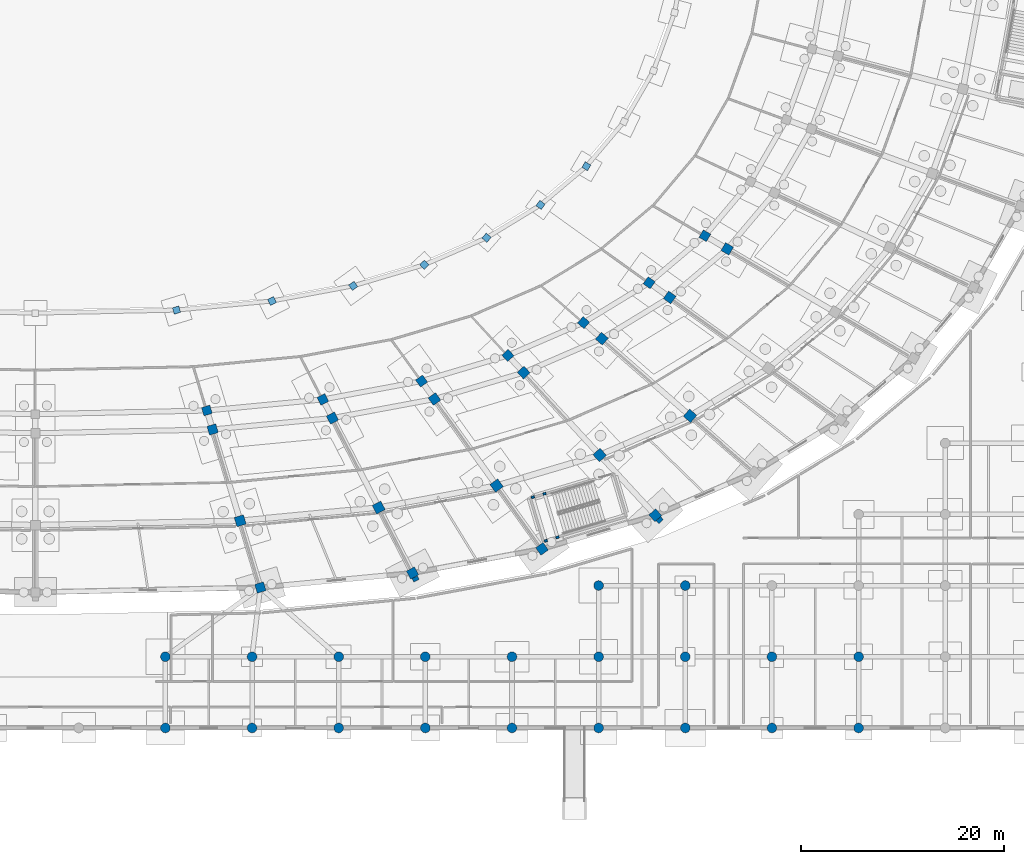
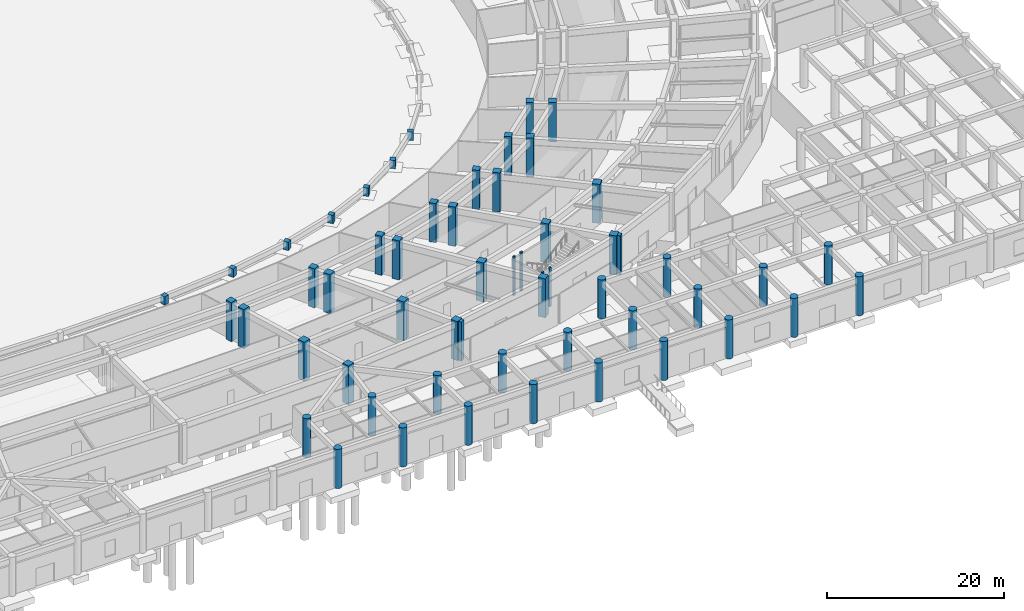
# One storey, part 18 of 88: 56 columns.
"""IFC4 building model written with IfcOpenShell, lengths in metres."""

from ifc_helpers import new_model, si_unit, direction, frame, origin, origin_2d, place, context, subcontext, project, spatial, rectangle, circle, extrude, material, material_profile, profile_set, type_object, element, save


model = new_model("IFC4")

# Units and contexts
model_context = context("Model", 3, precision=1e-05, world=origin(), true_north=direction((0.0, 1.0)))
body_context = subcontext(model_context, "Body", "Model", "MODEL_VIEW")
ifc_project = project(units=[si_unit("LENGTHUNIT", "METRE"), si_unit("AREAUNIT", "SQUARE_METRE"), si_unit("VOLUMEUNIT", "CUBIC_METRE"), si_unit("PLANEANGLEUNIT", "RADIAN"), si_unit("MASSUNIT", "GRAM", prefix="KILO")], contexts=[model_context])

# Site, building, storey
site_placement = place(None, origin())
site = spatial("IfcSite", under=ifc_project, at=site_placement, CompositionType="ELEMENT")
building_placement = place(site_placement, origin())
building = spatial("IfcBuilding", under=site, at=building_placement, Name="Mphavela Belvedere Stadium", CompositionType="ELEMENT")
storey_placement = place(building_placement, origin())
storey = spatial("IfcBuildingStorey", under=building, at=storey_placement, Name="L00", CompositionType="ELEMENT", Elevation=0.0)

# Columns
ifc_material_1 = material(Name="Concrete C40/50", Category="concrete")
ifc_material_profile_1 = material_profile(ifc_material_1, rectangle(XDim=0.300048828125, YDim=0.219970703125, at=origin_2d()), Name="RC 300x220")
ifc_profile_set_1 = profile_set([ifc_material_profile_1], Name="Concrete C40/50")
column_type_1 = type_object("IfcColumnType", Name="COL-CORE-POST-300", PredefinedType="COLUMN", material=ifc_profile_set_1)
for number, where, z_axis, x_axis, name in (
    (1, (165.05419921875, 23.027099609375, 0.0), (0.0, 0.0, 1.0), (-0.958670893355, -0.284517342588, 0.0), "Core P04 stair frame column L00-1"),
    (2, (163.90380859375, 22.685791015625, 0.0), (0.0, 0.0, 1.0), (-0.958670893355, -0.284517342588, 0.0), "Core P04 stair frame column L00-2"),
    (3, (165.175537109375, 18.400390625, 0.0), (0.0, 0.0, 1.0), (-0.958670893355, -0.284517342588, 0.0), "Core P04 stair frame column L00-3"),
    (4, (166.325927734375, 18.741943359375, 0.0), (0.0, 0.0, 1.0), (-0.958670893355, -0.284517342588, 0.0), "Core P04 stair frame column L00-4"),
):
    element("IfcColumn", number, at=place(storey_placement, frame(where, z_axis=z_axis, x_axis=x_axis)), inside=storey, type_object=column_type_1, Name=name, PredefinedType="COLUMN", context=body_context, shape_type="SweptSolid", body=[
        extrude(rectangle(XDim=0.300048828125, YDim=0.219970703125, at=origin_2d()), origin(), (0.0, 0.0, 1.0), 5.39990234375),
    ])
ifc_material_2 = material(Name="Concrete C40/50", Category="concrete")
ifc_material_profile_2 = material_profile(ifc_material_2, circle(Radius=0.47509765625, at=origin_2d()), Name="COL D950")
ifc_profile_set_2 = profile_set([ifc_material_profile_2], Name="Concrete C40/50")
column_type_2 = type_object("IfcColumnType", Name="COL-DORIC-950", PredefinedType="COLUMN", material=ifc_profile_set_2)
for number, where, z_axis, x_axis, name in (
    (5, (127.778076171875, 0.0, 0.0), (0.0, 0.0, 1.0), (1.0, 0.0, 0.0), "South Axial Triumphal Peristyle Portico classical column L00 16-1"),
    (6, (127.778076171875, 7.0, 0.0), (0.0, 0.0, 1.0), (1.0, 0.0, 0.0), "South Axial Triumphal Peristyle Portico classical column L00 16-2"),
    (7, (136.2958984375, 0.0, 0.0), (0.0, 0.0, 1.0), (1.0, 0.0, 0.0), "South Axial Triumphal Peristyle Portico classical column L00 17-1"),
    (8, (136.2958984375, 7.0, 0.0), (0.0, 0.0, 1.0), (1.0, 0.0, 0.0), "South Axial Triumphal Peristyle Portico classical column L00 17-2"),
    (9, (144.81494140625, 0.0, 0.0), (0.0, 0.0, 1.0), (1.0, 0.0, 0.0), "South Axial Triumphal Peristyle Portico classical column L00 18-1"),
    (10, (144.81494140625, 7.0, 0.0), (0.0, 0.0, 1.0), (1.0, 0.0, 0.0), "South Axial Triumphal Peristyle Portico classical column L00 18-2"),
    (11, (153.3330078125, 0.0, 0.0), (0.0, 0.0, 1.0), (1.0, 0.0, 0.0), "South Axial Triumphal Peristyle Portico classical column L00 19-1"),
    (12, (153.3330078125, 7.0, 0.0), (0.0, 0.0, 1.0), (1.0, 0.0, 0.0), "South Axial Triumphal Peristyle Portico classical column L00 19-2"),
    (13, (161.85205078125, 0.0, 0.0), (0.0, 0.0, 1.0), (1.0, 0.0, 0.0), "South Axial Triumphal Peristyle Portico classical column L00 20-1"),
    (14, (161.85205078125, 7.0, 0.0), (0.0, 0.0, 1.0), (1.0, 0.0, 0.0), "South Axial Triumphal Peristyle Portico classical column L00 20-2"),
    (15, (170.3701171875, 0.0, 0.0), (0.0, 0.0, 1.0), (1.0, 0.0, 0.0), "South Axial Triumphal Peristyle Portico classical column L00 21-1"),
    (16, (170.3701171875, 7.0, 0.0), (0.0, 0.0, 1.0), (1.0, 0.0, 0.0), "South Axial Triumphal Peristyle Portico classical column L00 21-2"),
    (17, (170.3701171875, 14.0, 0.0), (0.0, 0.0, 1.0), (1.0, 0.0, 0.0), "South Axial Triumphal Peristyle Portico classical column L00 21-3"),
    (18, (178.888916015625, 0.0, 0.0), (0.0, 0.0, 1.0), (1.0, 0.0, 0.0), "South Axial Triumphal Peristyle Portico classical column L00 22-1"),
    (19, (178.888916015625, 7.0, 0.0), (0.0, 0.0, 1.0), (1.0, 0.0, 0.0), "South Axial Triumphal Peristyle Portico classical column L00 22-2"),
    (20, (178.888916015625, 14.0, 0.0), (0.0, 0.0, 1.0), (1.0, 0.0, 0.0), "South Axial Triumphal Peristyle Portico classical column L00 22-3"),
    (21, (187.406982421875, 0.0, 0.0), (0.0, 0.0, 1.0), (1.0, 0.0, 0.0), "South Axial Triumphal Peristyle Portico classical column L00 23-1"),
    (22, (187.406982421875, 7.0, 0.0), (0.0, 0.0, 1.0), (1.0, 0.0, 0.0), "South Axial Triumphal Peristyle Portico classical column L00 23-2"),
    (23, (195.926025390625, 0.0, 0.0), (0.0, 0.0, 1.0), (1.0, 0.0, 0.0), "South Axial Triumphal Peristyle Portico classical column L00 24-1"),
    (24, (195.926025390625, 7.0, 0.0), (0.0, 0.0, 1.0), (1.0, 0.0, 0.0), "South Axial Triumphal Peristyle Portico classical column L00 24-2"),
):
    element("IfcColumn", number, at=place(storey_placement, frame(where, z_axis=z_axis, x_axis=x_axis)), inside=storey, type_object=column_type_2, Name=name, PredefinedType="COLUMN", context=body_context, shape_type="SweptSolid", body=[
        extrude(circle(Radius=0.47509765625, at=origin_2d()), origin(), (0.0, 0.0, 1.0), 5.39990234375),
    ])
ifc_material_3 = material(Name="Concrete C40/50", Category="concrete")
ifc_material_profile_3 = material_profile(ifc_material_3, rectangle(XDim=0.64990234375, YDim=0.64990234375, at=origin_2d()), Name="RC 650x650")
ifc_profile_set_3 = profile_set([ifc_material_profile_3], Name="Concrete C40/50")
column_type_3 = type_object("IfcColumnType", Name="COL-RC650", PredefinedType="COLUMN", material=ifc_profile_set_3)
for number, where, z_axis, x_axis, name in (
    (25, (128.873779296875, 41.081298828125, 0.0), (0.0, 0.0, 1.0), (0.289198876314, -0.957269037387, 0.0), "Lower tier plinth column 38"),
    (26, (138.258056640625, 41.97607421875, 0.0), (0.0, 0.0, 1.0), (0.458959712465, -0.888457079624, 0.0), "Lower tier plinth column 39"),
    (27, (146.2431640625, 43.46337890625, 0.0), (0.0, 0.0, 1.0), (0.582974127943, -0.812490717577, 0.0), "Lower tier plinth column 40"),
    (28, (153.229736328125, 45.537109375, 0.0), (0.0, 0.0, 1.0), (0.677903094969, -0.735151272753, 0.0), "Lower tier plinth column 41"),
    (29, (159.351806640625, 48.19091796875, 0.0), (0.0, 0.0, 1.0), (0.752529860433, -0.658558128912, 0.0), "Lower tier plinth column 42"),
    (30, (164.658935546875, 51.419677734375, 0.0), (0.0, 0.0, 1.0), (0.812897512265, -0.582406760395, 0.0), "Lower tier plinth column 43"),
    (31, (169.1650390625, 55.22216796875, 0.0), (0.0, 0.0, 1.0), (0.862513669207, -0.506033764121, 0.0), "Lower tier plinth column 44"),
):
    element("IfcColumn", number, at=place(storey_placement, frame(where, z_axis=z_axis, x_axis=x_axis)), inside=storey, type_object=column_type_3, Name=name, PredefinedType="COLUMN", context=body_context, shape_type="SweptSolid", body=[
        extrude(rectangle(XDim=0.64990234375, YDim=0.64990234375, at=origin_2d()), origin(), (0.0, 0.0, 1.0), 1.14990234375),
    ])
ifc_material_4 = material(Name="Concrete C40/50", Category="concrete")
ifc_material_profile_4 = material_profile(ifc_material_4, rectangle(XDim=0.85009765625, YDim=0.85009765625, at=origin_2d()), Name="RC 850x850")
ifc_profile_set_4 = profile_set([ifc_material_profile_4], Name="Concrete C40/50")
column_type_4 = type_object("IfcColumnType", Name="COL-RC850", PredefinedType="COLUMN", material=ifc_profile_set_4)
for number, where, z_axis, x_axis, name in (
    (32, (131.857177734375, 31.20703125, 0.0), (0.0, 0.0, 1.0), (0.289198876314, -0.957269037387, 0.0), "Inner concourse column L00 R1-38"),
    (33, (143.25927734375, 32.294189453125, 0.0), (0.0, 0.0, 1.0), (0.458959712465, -0.888457079624, 0.0), "Inner concourse column L00 R1-39"),
    (34, (152.961669921875, 34.101318359375, 0.0), (0.0, 0.0, 1.0), (0.582974127943, -0.812490717577, 0.0), "Inner concourse column L00 R1-40"),
    (35, (161.450439453125, 36.62109375, 0.0), (0.0, 0.0, 1.0), (0.677903094969, -0.735151272753, 0.0), "Inner concourse column L00 R1-41"),
    (36, (168.88916015625, 39.845703125, 0.0), (0.0, 0.0, 1.0), (0.752529860433, -0.658558128912, 0.0), "Inner concourse column L00 R1-42"),
    (37, (175.33740234375, 43.7685546875, 0.0), (0.0, 0.0, 1.0), (0.812897512265, -0.582406760395, 0.0), "Inner concourse column L00 R1-43"),
    (38, (180.8125, 48.388671875, 0.0), (0.0, 0.0, 1.0), (0.862513669207, -0.506033764121, 0.0), "Inner concourse column L00 R1-44"),
):
    element("IfcColumn", number, at=place(storey_placement, frame(where, z_axis=z_axis, x_axis=x_axis)), inside=storey, type_object=column_type_4, Name=name, PredefinedType="COLUMN", context=body_context, shape_type="SweptSolid", body=[
        extrude(rectangle(XDim=0.85009765625, YDim=0.85009765625, at=origin_2d()), origin(), (0.0, 0.0, 1.0), 5.39990234375),
    ])
ifc_material_5 = material(Name="Concrete C40/50", Category="concrete")
ifc_material_profile_5 = material_profile(ifc_material_5, rectangle(XDim=0.89990234375, YDim=0.89990234375, at=origin_2d()), Name="RC 900x900")
ifc_profile_set_5 = profile_set([ifc_material_profile_5], Name="Concrete C40/50")
column_type_5 = type_object("IfcColumnType", Name="COL-RC900", PredefinedType="COLUMN", material=ifc_profile_set_5)
for number, where, z_axis, x_axis, name in (
    (39, (132.42041015625, 29.342529296875, 0.0), (0.0, 0.0, 1.0), (0.289198876314, -0.957269037387, 0.0), "Middle concourse column L00 R2-38"),
    (40, (137.114501953125, 13.80615234375, 0.0), (0.0, 0.0, 1.0), (0.289198876314, -0.957269037387, 0.0), "Outer colonnade column L00 R4-38"),
    (41, (144.20361328125, 30.46630859375, 0.0), (0.0, 0.0, 1.0), (0.458959712465, -0.888457079624, 0.0), "Middle concourse column L00 R2-39"),
    (42, (152.07275390625, 15.232666015625, 0.0), (0.0, 0.0, 1.0), (0.458959712465, -0.888457079624, 0.0), "Outer colonnade column L00 R4-39"),
    (43, (154.230224609375, 32.33349609375, 0.0), (0.0, 0.0, 1.0), (0.582974127943, -0.812490717577, 0.0), "Middle concourse column L00 R2-40"),
    (44, (164.80126953125, 17.60302734375, 0.0), (0.0, 0.0, 1.0), (0.582974127943, -0.812490717577, 0.0), "Outer colonnade column L00 R4-40"),
    (45, (163.002685546875, 34.9375, 0.0), (0.0, 0.0, 1.0), (0.677903094969, -0.735151272753, 0.0), "Middle concourse column L00 R2-41"),
    (46, (175.9375, 20.90869140625, 0.0), (0.0, 0.0, 1.0), (0.677903094969, -0.735151272753, 0.0), "Outer colonnade column L00 R4-41"),
    (47, (170.68994140625, 38.27001953125, 0.0), (0.0, 0.0, 1.0), (0.752529860433, -0.658558128912, 0.0), "Middle concourse column L00 R2-42"),
    (48, (177.353759765625, 42.323974609375, 0.0), (0.0, 0.0, 1.0), (0.812897512265, -0.582406760395, 0.0), "Middle concourse column L00 R2-43"),
    (49, (183.01171875, 47.098388671875, 0.0), (0.0, 0.0, 1.0), (0.862513669207, -0.506033764121, 0.0), "Middle concourse column L00 R2-44"),
):
    element("IfcColumn", number, at=place(storey_placement, frame(where, z_axis=z_axis, x_axis=x_axis)), inside=storey, type_object=column_type_5, Name=name, PredefinedType="COLUMN", context=body_context, shape_type="SweptSolid", body=[
        extrude(rectangle(XDim=0.89990234375, YDim=0.89990234375, at=origin_2d()), origin(), (0.0, 0.0, 1.0), 5.39990234375),
    ])
ifc_material_6 = material(Name="Concrete C40/50", Category="concrete")
ifc_material_profile_6 = material_profile(ifc_material_6, rectangle(XDim=0.949951171875, YDim=0.949951171875, at=origin_2d()), Name="RC 950x950")
ifc_profile_set_6 = profile_set([ifc_material_profile_6], Name="Concrete C40/50")
column_type_6 = type_object("IfcColumnType", Name="COL-RC950", PredefinedType="COLUMN", material=ifc_profile_set_6)
for number, where, z_axis, x_axis, name in (
    (50, (135.1328125, 20.365966796875, 0.0), (0.0, 0.0, 1.0), (0.289198876314, -0.957269037387, 0.0), "Main bowl column L00 R3-38"),
    (51, (148.750244140625, 21.66455078125, 0.0), (0.0, 0.0, 1.0), (0.458959712465, -0.888457079624, 0.0), "Main bowl column L00 R3-39"),
    (52, (160.337890625, 23.822509765625, 0.0), (0.0, 0.0, 1.0), (0.582974127943, -0.812490717577, 0.0), "Main bowl column L00 R3-40"),
    (53, (170.476318359375, 26.83203125, 0.0), (0.0, 0.0, 1.0), (0.677903094969, -0.735151272753, 0.0), "Main bowl column L00 R3-41"),
    (54, (179.360107421875, 30.68310546875, 0.0), (0.0, 0.0, 1.0), (0.752529860433, -0.658558128912, 0.0), "Main bowl column L00 R3-42"),
):
    element("IfcColumn", number, at=place(storey_placement, frame(where, z_axis=z_axis, x_axis=x_axis)), inside=storey, type_object=column_type_6, Name=name, PredefinedType="COLUMN", context=body_context, shape_type="SweptSolid", body=[
        extrude(rectangle(XDim=0.949951171875, YDim=0.949951171875, at=origin_2d()), origin(), (0.0, 0.0, 1.0), 5.39990234375),
    ])
ifc_material_7 = material(Name="Concrete C40/50", Category="concrete")
ifc_material_profile_7 = material_profile(ifc_material_7, rectangle(XDim=0.60009765625, YDim=0.39990234375, at=origin_2d()), Name="PIL 600x400")
ifc_profile_set_7 = profile_set([ifc_material_profile_7], Name="Concrete C40/50")
column_type_7 = type_object("IfcColumnType", Name="PIL-FLUTED-600", PredefinedType="PILASTER", material=ifc_profile_set_7)
for number, where, z_axis, x_axis, name in (
    (55, (152.37255859375, 14.65234375, 0.0), (0.0, 0.0, 1.0), (0.888457079624, 0.458959712465, 0.0), "Fluted classical pilaster L00-39"),
    (56, (176.38037109375, 20.4287109375, 0.0), (0.0, 0.0, 1.0), (0.735151272753, 0.677903094969, 0.0), "Fluted classical pilaster L00-41"),
):
    element("IfcColumn", number, at=place(storey_placement, frame(where, z_axis=z_axis, x_axis=x_axis)), inside=storey, type_object=column_type_7, Name=name, PredefinedType="PILASTER", context=body_context, shape_type="SweptSolid", body=[
        extrude(rectangle(XDim=0.60009765625, YDim=0.39990234375, at=origin_2d()), origin(), (0.0, 0.0, 1.0), 5.39990234375),
    ])

save(model, "model.ifc")
